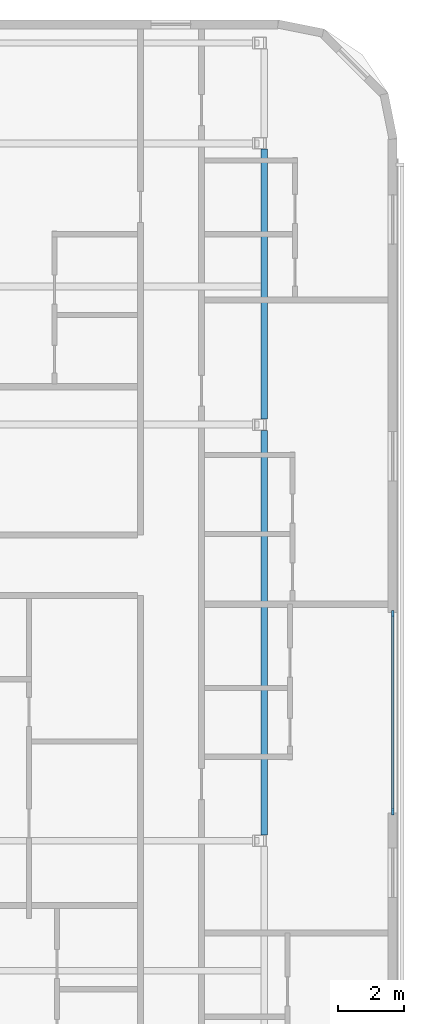
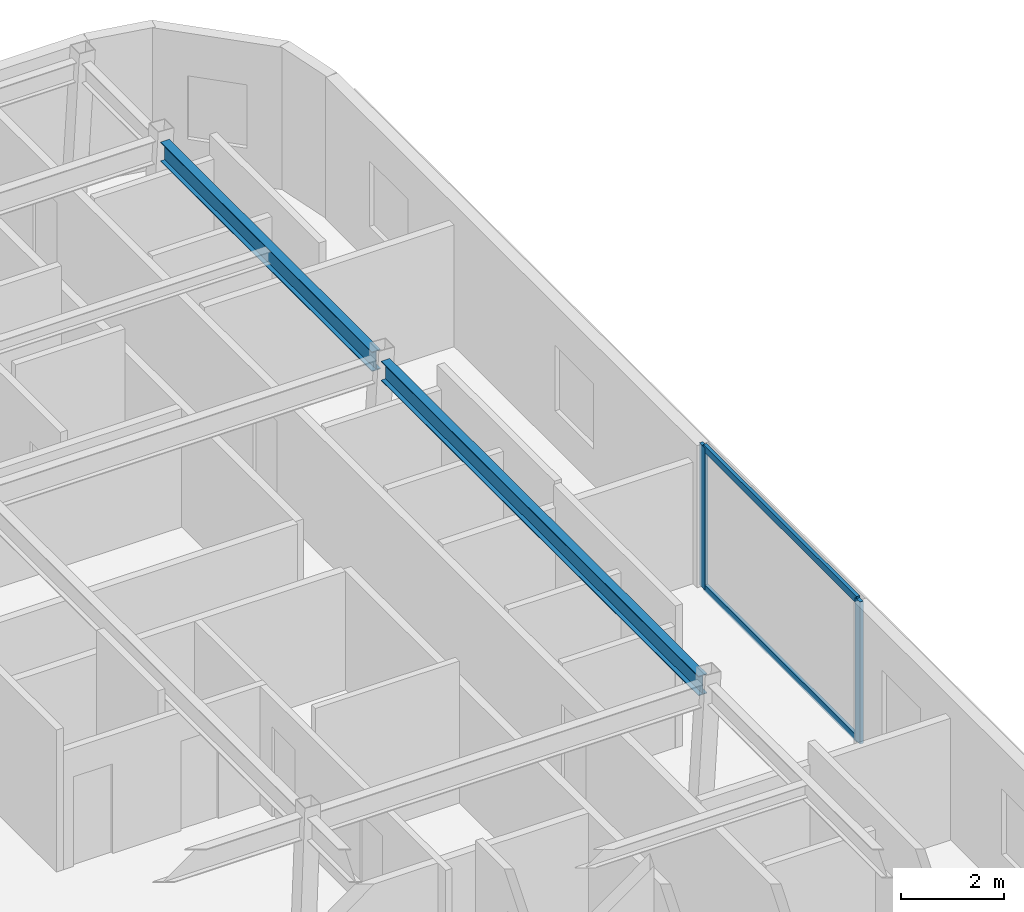
# One storey, part 2 of 10: 4 members, 2 beams, 1 element without a shape of its own.
"""IFC4 building model written with IfcOpenShell, lengths in metres."""

from ifc_helpers import new_model, si_unit, direction, frame, origin, origin_2d, place, context, subcontext, project, spatial, rectangle, i_section, extrude, material, layer, layer_set, material_profile, profile_set, type_object, element, aggregate, save


model = new_model("IFC4")

# Units and contexts
model_context = context("Model", 3, precision=1e-05, world=origin(), true_north=direction((0.0, 1.0)))
body_context = subcontext(model_context, "Body", "Model", "MODEL_VIEW")
ifc_project = project(units=[si_unit("LENGTHUNIT", "METRE"), si_unit("AREAUNIT", "SQUARE_METRE"), si_unit("VOLUMEUNIT", "CUBIC_METRE"), si_unit("PLANEANGLEUNIT", "RADIAN"), si_unit("MASSUNIT", "GRAM", prefix="KILO")], contexts=[model_context])

# Site, building, storey
site_placement = place(None, origin())
site = spatial("IfcSite", under=ifc_project, at=site_placement, CompositionType="ELEMENT")
building_placement = place(site_placement, origin())
building = spatial("IfcBuilding", under=site, at=building_placement, Name="Ochreholt Gables", CompositionType="ELEMENT")
storey_placement = place(building_placement, frame((0.0, 0.0, 267.60009765625)))
storey = spatial("IfcBuildingStorey", under=building, at=storey_placement, Name="L70", CompositionType="ELEMENT", Elevation=267.60009765625)

# Beams
ifc_material_1 = material(Name="Steel CSA G40.21 350W", Category="steel")
ifc_material_profile_1 = material_profile(ifc_material_1, i_section(OverallWidth=0.19189453125, OverallDepth=0.462890625, WebThickness=0.010498046875, FlangeThickness=0.017578125, at=origin_2d()), Name="W460X89")
ifc_profile_set_1 = profile_set([ifc_material_profile_1], Name="Steel CSA G40.21 350W")
beam_type = type_object("IfcBeamType", Name="BM-SP-W460A", PredefinedType="SPANDREL", material=ifc_profile_set_1)
beam_1_placement = place(storey_placement, frame((58.35791015625, 17.7275390625, 3.12841796875), z_axis=(0.0, 1.0, 0.0), x_axis=(-1.0, 0.0, 0.0)))
element("IfcBeam", 1, at=beam_1_placement, inside=storey, type_object=beam_type, Name="L70 Beam TBN-L70-EE-Y3Y4", PredefinedType="SPANDREL", context=body_context, shape_type="SweptSolid", body=[
    extrude(i_section(OverallWidth=0.19189453125, OverallDepth=0.462890625, WebThickness=0.010498046875, FlangeThickness=0.017578125, at=origin_2d()), origin(), (0.0, 0.0, 1.0), 12.294921875),
])
beam_2_placement = place(storey_placement, frame((58.35791015625, 30.377685546875, 3.12841796875), z_axis=(0.0, 1.0, 0.0), x_axis=(-1.0, 0.0, 0.0)))
element("IfcBeam", 2, at=beam_2_placement, inside=storey, type_object=beam_type, Name="L70 Beam TBN-L70-EE-Y4Y5", PredefinedType="SPANDREL", context=body_context, shape_type="SweptSolid", body=[
    extrude(i_section(OverallWidth=0.19189453125, OverallDepth=0.462890625, WebThickness=0.010498046875, FlangeThickness=0.017578125, at=origin_2d()), origin(), (0.0, 0.0, 1.0), 8.19482421875),
])

# Curtain wall, members
ifc_material_2 = material(Name="Unitised Aluminium and Triple Glazing", Category="aluminium")
ifc_layer = layer(ifc_material_2, 0.2099609375, Name="Unitised Aluminium and Triple Glazing")
ifc_layer_set = layer_set([ifc_layer], Name="Unitised Aluminium and Triple Glazing")
curtain_wall_type = type_object("IfcCurtainWallType", Name="CW-SYS5", PredefinedType="NOTDEFINED", material=ifc_layer_set)
curtain_wall_placement = place(storey_placement, origin())
curtain_wall = element("IfcCurtainWall", 3, at=curtain_wall_placement, inside=storey, type_object=curtain_wall_type, Name="L70 East Unitised Curtain Wall", PredefinedType="NOTDEFINED")
ifc_material_3 = material(Name="Anodized Aluminium 6063-T6", Category="aluminium")
ifc_material_profile_2 = material_profile(ifc_material_3, rectangle(XDim=0.074951171875, YDim=0.199951171875, at=origin_2d()), Name="CWM75X200")
ifc_profile_set_2 = profile_set([ifc_material_profile_2], Name="Anodized Aluminium 6063-T6")
member_type_1 = type_object("IfcMemberType", Name="CW-MUL-A", PredefinedType="MULLION", material=ifc_profile_set_2)
member_1_placement = place(storey_placement, frame((62.264892578125, 18.4375, 0.0), z_axis=(0.0, 0.0, 1.0), x_axis=(-1.0, 0.0, 0.0)))
member_1 = element("IfcMember", 4, at=member_1_placement, type_object=member_type_1, Name="CW-5 mullion 1", PredefinedType="MULLION", context=body_context, shape_type="SweptSolid", body=[
    extrude(rectangle(XDim=0.074951171875, YDim=0.199951171875, at=origin_2d()), origin(), (0.0, 0.0, 1.0), 3.35986328125),
])
member_2_placement = place(storey_placement, frame((62.264892578125, 24.452392578125, 0.0), z_axis=(0.0, 0.0, 1.0), x_axis=(-1.0, 0.0, 0.0)))
member_2 = element("IfcMember", 5, at=member_2_placement, type_object=member_type_1, Name="CW-5 mullion 2", PredefinedType="MULLION", context=body_context, shape_type="SweptSolid", body=[
    extrude(rectangle(XDim=0.074951171875, YDim=0.199951171875, at=origin_2d()), origin(), (0.0, 0.0, 1.0), 3.35986328125),
])
ifc_material_profile_3 = material_profile(ifc_material_3, rectangle(XDim=0.074951171875, YDim=0.159912109375, at=origin_2d()), Name="CWT75X160")
ifc_profile_set_3 = profile_set([ifc_material_profile_3], Name="Anodized Aluminium 6063-T6")
member_type_2 = type_object("IfcMemberType", Name="CW-TRN-A", PredefinedType="USERDEFINED", material=ifc_profile_set_3)
member_3_placement = place(storey_placement, frame((62.264892578125, 18.47509765625, 0.037353515625), z_axis=(0.0, 1.0, 0.0), x_axis=(-1.0, 0.0, 0.0)))
member_3 = element("IfcMember", 6, at=member_3_placement, type_object=member_type_2, Name="CW-5 transom 1.1", ObjectType="TRANSOM", PredefinedType="USERDEFINED", context=body_context, shape_type="SweptSolid", body=[
    extrude(rectangle(XDim=0.074951171875, YDim=0.159912109375, at=origin_2d()), origin(), (0.0, 0.0, 1.0), 5.93994140625),
])
member_4_placement = place(storey_placement, frame((62.264892578125, 18.47509765625, 3.322509765625), z_axis=(0.0, 1.0, 0.0), x_axis=(-1.0, 0.0, 0.0)))
member_4 = element("IfcMember", 7, at=member_4_placement, type_object=member_type_2, Name="CW-5 transom 1.2", ObjectType="TRANSOM", PredefinedType="USERDEFINED", context=body_context, shape_type="SweptSolid", body=[
    extrude(rectangle(XDim=0.074951171875, YDim=0.159912109375, at=origin_2d()), origin(), (0.0, 0.0, 1.0), 5.93994140625),
])
aggregate(curtain_wall, [member_1, member_2, member_3, member_4])

save(model, "model.ifc")
